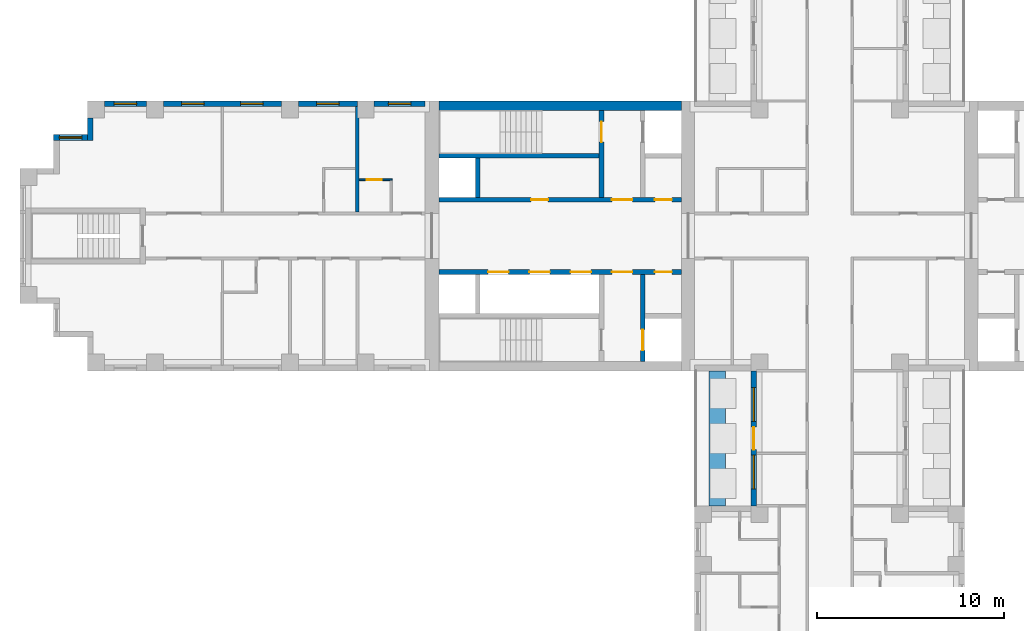
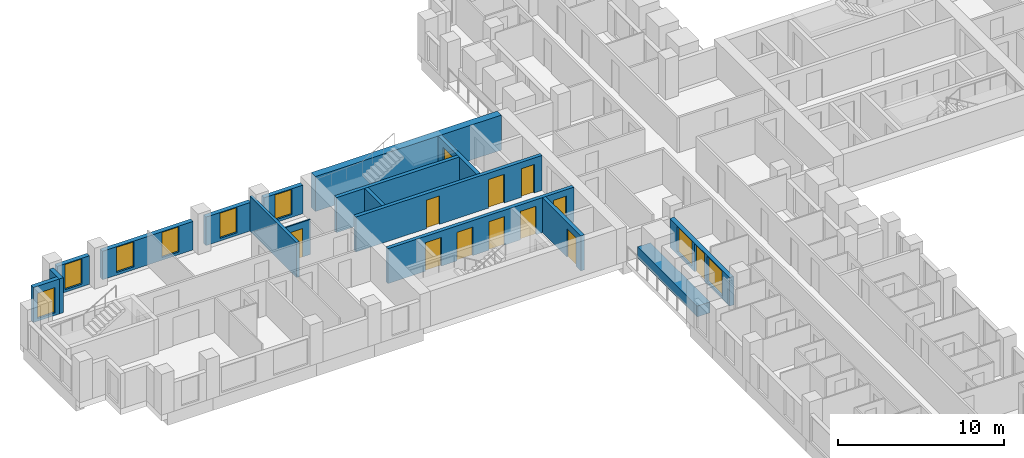
# One storey, part 7 of 14: 17 walls, 12 doors, 8 windows, 20 openings.
"""IFC4 building model written with IfcOpenShell, lengths in metres."""

from ifc_helpers import new_model, si_unit, direction, frame, frame_2d, origin, place, context, subcontext, project, spatial, rectangle, extrude, material, layer, layer_set, type_object, element, fill, save


model = new_model("IFC4")

# Units and contexts
model_context = context("Model", 3, precision=1e-05, world=origin(), true_north=direction((0.0, 1.0)))
body_context = subcontext(model_context, "Body", "Model", "MODEL_VIEW")
ifc_project = project(units=[si_unit("LENGTHUNIT", "METRE"), si_unit("AREAUNIT", "SQUARE_METRE"), si_unit("VOLUMEUNIT", "CUBIC_METRE"), si_unit("PLANEANGLEUNIT", "RADIAN"), si_unit("MASSUNIT", "GRAM", prefix="KILO")], contexts=[model_context])

# Site, building, storey
site_placement = place(None, origin())
site = spatial("IfcSite", under=ifc_project, at=site_placement, CompositionType="ELEMENT")
building_placement = place(site_placement, origin())
building = spatial("IfcBuilding", under=site, at=building_placement, Name="Fustian Cross Tower", CompositionType="ELEMENT")
storey_placement = place(building_placement, frame((0.0, 0.0, 72.89990234375)))
storey = spatial("IfcBuildingStorey", under=building, at=storey_placement, Name="L22", CompositionType="ELEMENT", Elevation=72.89990234375)

# Wall
ifc_material_1 = material(Name="Concrete C70/85", Category="concrete")
ifc_layer_1 = layer(ifc_material_1, 0.5)
ifc_layer_set_1 = layer_set([ifc_layer_1], Name="Concrete C70/85")
wall_type_1 = type_object("IfcWallType", Name="CORE FACADE WALL 500 C70/85", PredefinedType="SHEAR", material=ifc_layer_set_1)
wall_1_placement = place(storey_placement, frame((-7.89990234375, 6.949951171875, 0.0), z_axis=(0.0, 0.0, 1.0), x_axis=(-1.0, 0.0, 0.0)))
element("IfcWall", 1, at=wall_1_placement, inside=storey, type_object=wall_type_1, Name="Core facade wall", PredefinedType="SHEAR", context=body_context, shape_type="SweptSolid", body=[
    extrude(rectangle(XDim=12.9501953125, YDim=0.5, at=frame_2d((6.47509765625, 0.0))), origin(), (0.0, 0.0, 1.0), 2.5751953125),
])

# Wall, openings, doors
ifc_material_2 = material(Name="Concrete C50/60", Category="concrete")
ifc_layer_2 = layer(ifc_material_2, 0.25)
ifc_layer_set_2 = layer_set([ifc_layer_2], Name="Concrete C50/60")
wall_type_2 = type_object("IfcWallType", Name="CORE LOBBY WALL 250 C50/60", PredefinedType="SHEAR", material=ifc_layer_set_2)
wall_2_placement = place(storey_placement, frame((-7.89990234375, 1.925048828125, 0.0), z_axis=(0.0, 0.0, 1.0), x_axis=(-1.0, 0.0, 0.0)))
wall_2 = element("IfcWall", 2, at=wall_2_placement, inside=storey, type_object=wall_type_2, Name="Core lobby wall", PredefinedType="SHEAR", context=body_context, shape_type="SweptSolid", body=[
    extrude(rectangle(XDim=12.9501953125, YDim=0.25, at=frame_2d((6.47509765625, 0.0))), origin(), (0.0, 0.0, 1.0), 2.5751953125),
])
opening_1_placement = place(wall_2_placement, frame((0.52490234375, 0.0, 0.0)))
opening_1 = element("IfcOpeningElement", 3, at=opening_1_placement, cuts=wall_2, Name="Opening CD-09-22", PredefinedType="OPENING", context=body_context, shape_type="SweptSolid", body=[
    extrude(rectangle(XDim=0.89990234375, YDim=2.10009765625, at=frame_2d((0.449951171875, 1.050048828125))), frame((0.0, 0.135009765625, 0.0), z_axis=(0.0, -1.0, 0.0), x_axis=(1.0, 0.0, 0.0)), (0.0, 0.0, 1.0), 0.27001953125),
])
opening_2_placement = place(wall_2_placement, frame((2.625, 0.0, 0.0)))
opening_2 = element("IfcOpeningElement", 4, at=opening_2_placement, cuts=wall_2, Name="Opening CD-09-24", PredefinedType="OPENING", context=body_context, shape_type="SweptSolid", body=[
    extrude(rectangle(XDim=1.10009765625, YDim=2.10009765625, at=frame_2d((0.550048828125, 1.050048828125))), frame((0.0, 0.135009765625, 0.0), z_axis=(0.0, -1.0, 0.0), x_axis=(1.0, 0.0, 0.0)), (0.0, 0.0, 1.0), 0.27001953125),
])
opening_3_placement = place(wall_2_placement, frame((7.125, 0.0, 0.0)))
opening_3 = element("IfcOpeningElement", 5, at=opening_3_placement, cuts=wall_2, Name="Opening CD-09-28", PredefinedType="OPENING", context=body_context, shape_type="SweptSolid", body=[
    extrude(rectangle(XDim=0.89990234375, YDim=2.10009765625, at=frame_2d((0.449951171875, 1.050048828125))), frame((0.0, 0.135009765625, 0.0), z_axis=(0.0, -1.0, 0.0), x_axis=(1.0, 0.0, 0.0)), (0.0, 0.0, 1.0), 0.27001953125),
])
ifc_material_3 = material(Name="Steel", Category="steel")
door_type_1 = type_object("IfcDoorType", Name="FIRE DOOR FD30S 900X2100", OperationType="SINGLE_SWING_LEFT", PredefinedType="DOOR", material=ifc_material_3)
door_1_placement = place(opening_3_placement, frame((0.89990234375, 0.0, 0.0), z_axis=(0.0, 0.0, 1.0), x_axis=(-1.0, 0.0, 0.0)))
door_1 = element("IfcDoor", 6, at=door_1_placement, inside=storey, type_object=door_type_1, Name="Core door CD-09-28", OperationType="SINGLE_SWING_RIGHT", OverallHeight=2.10009765625, OverallWidth=0.89990234375, PredefinedType="DOOR", context=body_context, shape_type="SweptSolid", body=[
    extrude(rectangle(XDim=0.89990234375, YDim=2.10009765625, at=frame_2d((0.449951171875, 1.050048828125))), frame((0.0, 0.02490234375, 0.0), z_axis=(0.0, -1.0, 0.0), x_axis=(1.0, 0.0, 0.0)), (0.0, 0.0, 1.0), 0.050048828125),
])
fill(opening_3, door_1)
ifc_material_4 = material(Name="Steel", Category="steel")
door_type_2 = type_object("IfcDoorType", Name="FIRE DOOR FD60S 1100X2100", OperationType="SINGLE_SWING_LEFT", PredefinedType="DOOR", material=ifc_material_4)
door_2_placement = place(opening_2_placement, frame((1.10009765625, 0.0, 0.0), z_axis=(0.0, 0.0, 1.0), x_axis=(-1.0, 0.0, 0.0)))
door_2 = element("IfcDoor", 7, at=door_2_placement, inside=storey, type_object=door_type_2, Name="Core door CD-09-24", OperationType="SINGLE_SWING_RIGHT", OverallHeight=2.10009765625, OverallWidth=1.10009765625, PredefinedType="DOOR", context=body_context, shape_type="SweptSolid", body=[
    extrude(rectangle(XDim=1.10009765625, YDim=2.10009765625, at=frame_2d((0.550048828125, 1.050048828125))), frame((0.0, 0.02490234375, 0.0), z_axis=(0.0, -1.0, 0.0), x_axis=(1.0, 0.0, 0.0)), (0.0, 0.0, 1.0), 0.050048828125),
])
fill(opening_2, door_2)
ifc_material_5 = material(Name="Steel", Category="steel")
door_type_3 = type_object("IfcDoorType", Name="FIRE DOOR FD60S 900X2100", OperationType="SINGLE_SWING_LEFT", PredefinedType="DOOR", material=ifc_material_5)
door_3_placement = place(opening_1_placement, frame((0.89990234375, 0.0, 0.0), z_axis=(0.0, 0.0, 1.0), x_axis=(-1.0, 0.0, 0.0)))
door_3 = element("IfcDoor", 8, at=door_3_placement, inside=storey, type_object=door_type_3, Name="Core door CD-09-22", OperationType="SINGLE_SWING_RIGHT", OverallHeight=2.10009765625, OverallWidth=0.89990234375, PredefinedType="DOOR", context=body_context, shape_type="SweptSolid", body=[
    extrude(rectangle(XDim=0.89990234375, YDim=2.10009765625, at=frame_2d((0.449951171875, 1.050048828125))), frame((0.0, 0.02490234375, 0.0), z_axis=(0.0, -1.0, 0.0), x_axis=(1.0, 0.0, 0.0)), (0.0, 0.0, 1.0), 0.050048828125),
])
fill(opening_1, door_3)

wall_3_placement = place(storey_placement, frame((-7.89990234375, -1.925048828125, 0.0), z_axis=(0.0, 0.0, 1.0), x_axis=(-1.0, 0.0, 0.0)))
wall_3 = element("IfcWall", 9, at=wall_3_placement, inside=storey, type_object=wall_type_2, Name="Core lobby wall", PredefinedType="SHEAR", context=body_context, shape_type="SweptSolid", body=[
    extrude(rectangle(XDim=12.9501953125, YDim=0.25, at=frame_2d((6.47509765625, 0.0))), origin(), (0.0, 0.0, 1.0), 2.5751953125),
])
opening_4_placement = place(wall_3_placement, frame((4.824951171875, 0.0, 0.0)))
opening_4 = element("IfcOpeningElement", 10, at=opening_4_placement, cuts=wall_3, Name="Opening LD", PredefinedType="OPENING", context=body_context, shape_type="SweptSolid", body=[
    extrude(rectangle(XDim=1.10009765625, YDim=2.10009765625, at=frame_2d((0.550048828125, 1.050048828125))), frame((0.0, 0.135009765625, 0.0), z_axis=(0.0, -1.0, 0.0), x_axis=(1.0, 0.0, 0.0)), (0.0, 0.0, 1.0), 0.27001953125),
])
opening_5_placement = place(wall_3_placement, frame((7.02490234375, 0.0, 0.0)))
opening_5 = element("IfcOpeningElement", 11, at=opening_5_placement, cuts=wall_3, Name="Opening LD", PredefinedType="OPENING", context=body_context, shape_type="SweptSolid", body=[
    extrude(rectangle(XDim=1.10009765625, YDim=2.10009765625, at=frame_2d((0.550048828125, 1.050048828125))), frame((0.0, 0.135009765625, 0.0), z_axis=(0.0, -1.0, 0.0), x_axis=(1.0, 0.0, 0.0)), (0.0, 0.0, 1.0), 0.27001953125),
])
opening_6_placement = place(wall_3_placement, frame((9.22509765625, 0.0, 0.0)))
opening_6 = element("IfcOpeningElement", 12, at=opening_6_placement, cuts=wall_3, Name="Opening LD", PredefinedType="OPENING", context=body_context, shape_type="SweptSolid", body=[
    extrude(rectangle(XDim=1.10009765625, YDim=2.10009765625, at=frame_2d((0.550048828125, 1.050048828125))), frame((0.0, 0.135009765625, 0.0), z_axis=(0.0, -1.0, 0.0), x_axis=(1.0, 0.0, 0.0)), (0.0, 0.0, 1.0), 0.27001953125),
])
opening_7_placement = place(wall_3_placement, frame((0.52490234375, 0.0, 0.0)))
opening_7 = element("IfcOpeningElement", 13, at=opening_7_placement, cuts=wall_3, Name="Opening CD-09-23", PredefinedType="OPENING", context=body_context, shape_type="SweptSolid", body=[
    extrude(rectangle(XDim=0.89990234375, YDim=2.10009765625, at=frame_2d((0.449951171875, 1.050048828125))), frame((0.0, 0.135009765625, 0.0), z_axis=(0.0, -1.0, 0.0), x_axis=(1.0, 0.0, 0.0)), (0.0, 0.0, 1.0), 0.27001953125),
])
opening_8_placement = place(wall_3_placement, frame((2.625, 0.0, 0.0)))
opening_8 = element("IfcOpeningElement", 14, at=opening_8_placement, cuts=wall_3, Name="Opening CD-09-25", PredefinedType="OPENING", context=body_context, shape_type="SweptSolid", body=[
    extrude(rectangle(XDim=1.10009765625, YDim=2.10009765625, at=frame_2d((0.550048828125, 1.050048828125))), frame((0.0, 0.135009765625, 0.0), z_axis=(0.0, -1.0, 0.0), x_axis=(1.0, 0.0, 0.0)), (0.0, 0.0, 1.0), 0.27001953125),
])
ifc_material_6 = material(Name="Steel", Category="steel")
door_type_4 = type_object("IfcDoorType", Name="FIRE DOOR FD30S 1100X2100", OperationType="SINGLE_SWING_LEFT", PredefinedType="DOOR", material=ifc_material_6)
door_4_placement = place(opening_8_placement, frame((1.10009765625, 0.0, 0.0), z_axis=(0.0, 0.0, 1.0), x_axis=(-1.0, 0.0, 0.0)))
door_4 = element("IfcDoor", 15, at=door_4_placement, inside=storey, type_object=door_type_4, Name="Core door CD-09-25", OperationType="SINGLE_SWING_RIGHT", OverallHeight=2.10009765625, OverallWidth=1.10009765625, PredefinedType="DOOR", context=body_context, shape_type="SweptSolid", body=[
    extrude(rectangle(XDim=1.10009765625, YDim=2.10009765625, at=frame_2d((0.550048828125, 1.050048828125))), frame((0.0, 0.02490234375, 0.0), z_axis=(0.0, -1.0, 0.0), x_axis=(1.0, 0.0, 0.0)), (0.0, 0.0, 1.0), 0.050048828125),
])
fill(opening_8, door_4)
door_5_placement = place(opening_7_placement, origin())
door_5 = element("IfcDoor", 16, at=door_5_placement, inside=storey, type_object=door_type_1, Name="Core door CD-09-23", OperationType="SINGLE_SWING_LEFT", OverallHeight=2.10009765625, OverallWidth=0.89990234375, PredefinedType="DOOR", context=body_context, shape_type="SweptSolid", body=[
    extrude(rectangle(XDim=0.89990234375, YDim=2.10009765625, at=frame_2d((0.449951171875, 1.050048828125))), frame((0.0, 0.02490234375, 0.0), z_axis=(0.0, -1.0, 0.0), x_axis=(1.0, 0.0, 0.0)), (0.0, 0.0, 1.0), 0.050048828125),
])
fill(opening_7, door_5)
ifc_material_7 = material(Name="Stainless steel", Category="steel")
door_type_5 = type_object("IfcDoorType", Name="LIFT LANDING DOOR 1100X2100", OperationType="SLIDING_TO_LEFT", PredefinedType="DOOR", material=ifc_material_7)
door_6_placement = place(opening_4_placement, origin())
door_6 = element("IfcDoor", 17, at=door_6_placement, inside=storey, type_object=door_type_5, Name="Landing door LR1W", OperationType="SLIDING_TO_LEFT", OverallHeight=2.10009765625, OverallWidth=1.10009765625, PredefinedType="DOOR", context=body_context, shape_type="SweptSolid", body=[
    extrude(rectangle(XDim=1.10009765625, YDim=2.10009765625, at=frame_2d((0.550048828125, 1.050048828125))), frame((0.0, 0.02490234375, 0.0), z_axis=(0.0, -1.0, 0.0), x_axis=(1.0, 0.0, 0.0)), (0.0, 0.0, 1.0), 0.050048828125),
])
fill(opening_4, door_6)
door_7_placement = place(opening_5_placement, origin())
door_7 = element("IfcDoor", 18, at=door_7_placement, inside=storey, type_object=door_type_5, Name="Landing door LR2W", OperationType="SLIDING_TO_LEFT", OverallHeight=2.10009765625, OverallWidth=1.10009765625, PredefinedType="DOOR", context=body_context, shape_type="SweptSolid", body=[
    extrude(rectangle(XDim=1.10009765625, YDim=2.10009765625, at=frame_2d((0.550048828125, 1.050048828125))), frame((0.0, 0.02490234375, 0.0), z_axis=(0.0, -1.0, 0.0), x_axis=(1.0, 0.0, 0.0)), (0.0, 0.0, 1.0), 0.050048828125),
])
fill(opening_5, door_7)
door_8_placement = place(opening_6_placement, origin())
door_8 = element("IfcDoor", 19, at=door_8_placement, inside=storey, type_object=door_type_5, Name="Landing door LR3W", OperationType="SLIDING_TO_LEFT", OverallHeight=2.10009765625, OverallWidth=1.10009765625, PredefinedType="DOOR", context=body_context, shape_type="SweptSolid", body=[
    extrude(rectangle(XDim=1.10009765625, YDim=2.10009765625, at=frame_2d((0.550048828125, 1.050048828125))), frame((0.0, 0.02490234375, 0.0), z_axis=(0.0, -1.0, 0.0), x_axis=(1.0, 0.0, 0.0)), (0.0, 0.0, 1.0), 0.050048828125),
])
fill(opening_6, door_8)

# Wall
ifc_material_8 = material(Name="Concrete C50/60", Category="concrete")
ifc_layer_3 = layer(ifc_material_8, 0.25)
ifc_layer_set_3 = layer_set([ifc_layer_3], Name="Concrete C50/60")
wall_type_3 = type_object("IfcWallType", Name="CORE SHAFT WALL 250 C50/60", PredefinedType="SHEAR", material=ifc_layer_set_3)
wall_4_placement = place(storey_placement, frame((-12.300048828125, 4.27490234375, 0.0), z_axis=(0.0, 0.0, 1.0), x_axis=(-1.0, 0.0, 0.0)))
element("IfcWall", 20, at=wall_4_placement, inside=storey, type_object=wall_type_3, Name="Core shaft wall", PredefinedType="SHEAR", context=body_context, shape_type="SweptSolid", body=[
    extrude(rectangle(XDim=8.550048828125, YDim=0.25, at=frame_2d((4.27490234375, 0.0))), origin(), (0.0, 0.0, 1.0), 2.5751953125),
])

# Wall, opening, door
wall_5_placement = place(storey_placement, frame((-12.175048828125, 2.050048828125, 0.0), z_axis=(0.0, 0.0, 1.0), x_axis=(0.0, 1.0, 0.0)))
wall_5 = element("IfcWall", 21, at=wall_5_placement, inside=storey, type_object=wall_type_3, Name="Core shaft wall", PredefinedType="SHEAR", context=body_context, shape_type="SweptSolid", body=[
    extrude(rectangle(XDim=4.64990234375, YDim=0.25, at=frame_2d((2.324951171875, 0.0))), origin(), (0.0, 0.0, 1.0), 2.5751953125),
])
opening_9_placement = place(wall_5_placement, frame((2.949951171875, 0.0, 0.0)))
opening_9 = element("IfcOpeningElement", 22, at=opening_9_placement, cuts=wall_5, Name="Opening CD-09-20", PredefinedType="OPENING", context=body_context, shape_type="SweptSolid", body=[
    extrude(rectangle(XDim=1.10009765625, YDim=2.10009765625, at=frame_2d((0.550048828125, 1.050048828125))), frame((0.0, 0.135009765625, 0.0), z_axis=(0.0, -1.0, 0.0), x_axis=(1.0, 0.0, 0.0)), (0.0, 0.0, 1.0), 0.27001953125),
])
door_9_placement = place(opening_9_placement, origin())
door_9 = element("IfcDoor", 23, at=door_9_placement, inside=storey, type_object=door_type_2, Name="Core door CD-09-20", OperationType="SINGLE_SWING_LEFT", OverallHeight=2.10009765625, OverallWidth=1.10009765625, PredefinedType="DOOR", context=body_context, shape_type="SweptSolid", body=[
    extrude(rectangle(XDim=1.10009765625, YDim=2.10009765625, at=frame_2d((0.550048828125, 1.050048828125))), frame((0.0, 0.02490234375, 0.0), z_axis=(0.0, -1.0, 0.0), x_axis=(1.0, 0.0, 0.0)), (0.0, 0.0, 1.0), 0.050048828125),
])
fill(opening_9, door_9)

wall_6_placement = place(storey_placement, frame((-9.97509765625, -2.050048828125, 0.0), z_axis=(0.0, 0.0, 1.0), x_axis=(0.0, -1.0, 0.0)))
wall_6 = element("IfcWall", 24, at=wall_6_placement, inside=storey, type_object=wall_type_3, Name="Core shaft wall", PredefinedType="SHEAR", context=body_context, shape_type="SweptSolid", body=[
    extrude(rectangle(XDim=4.64990234375, YDim=0.25, at=frame_2d((2.324951171875, 0.0))), origin(), (0.0, 0.0, 1.0), 2.5751953125),
])
opening_10_placement = place(wall_6_placement, frame((2.949951171875, 0.0, 0.0)))
opening_10 = element("IfcOpeningElement", 25, at=opening_10_placement, cuts=wall_6, Name="Opening LD", PredefinedType="OPENING", context=body_context, shape_type="SweptSolid", body=[
    extrude(rectangle(XDim=1.10009765625, YDim=2.10009765625, at=frame_2d((0.550048828125, 1.050048828125))), frame((0.0, 0.135009765625, 0.0), z_axis=(0.0, -1.0, 0.0), x_axis=(1.0, 0.0, 0.0)), (0.0, 0.0, 1.0), 0.27001953125),
])
door_10_placement = place(opening_10_placement, origin())
door_10 = element("IfcDoor", 26, at=door_10_placement, inside=storey, type_object=door_type_5, Name="Landing door SV1W", OperationType="SLIDING_TO_LEFT", OverallHeight=2.10009765625, OverallWidth=1.10009765625, PredefinedType="DOOR", context=body_context, shape_type="SweptSolid", body=[
    extrude(rectangle(XDim=1.10009765625, YDim=2.10009765625, at=frame_2d((0.550048828125, 1.050048828125))), frame((0.0, 0.02490234375, 0.0), z_axis=(0.0, -1.0, 0.0), x_axis=(1.0, 0.0, 0.0)), (0.0, 0.0, 1.0), 0.050048828125),
])
fill(opening_10, door_10)

ifc_material_9 = material(Name="Plasterboard on steel stud", Category="steel")
ifc_layer_4 = layer(ifc_material_9, 0.10009765625)
ifc_layer_set_4 = layer_set([ifc_layer_4], Name="Plasterboard on steel stud")
wall_type_4 = type_object("IfcWallType", Name="PARTITION 100 STUD", PredefinedType="PARTITIONING", material=ifc_layer_set_4)
wall_7_placement = place(storey_placement, frame((-25.10009765625, 3.0, 0.0), z_axis=(0.0, 0.0, 1.0), x_axis=(1.0, 0.0, 0.0)))
wall_7 = element("IfcWall", 27, at=wall_7_placement, inside=storey, type_object=wall_type_4, Name="Partition 14", PredefinedType="PARTITIONING", context=body_context, shape_type="SweptSolid", body=[
    extrude(rectangle(XDim=1.75, YDim=0.10009765625, at=frame_2d((0.875, 0.0))), origin(), (0.0, 0.0, 1.0), 2.5751953125),
])
opening_11_placement = place(wall_7_placement, frame((0.39990234375, 0.0, 0.0)))
opening_11 = element("IfcOpeningElement", 28, at=opening_11_placement, cuts=wall_7, Name="Opening D11031", PredefinedType="OPENING", context=body_context, shape_type="SweptSolid", body=[
    extrude(rectangle(XDim=0.800048828125, YDim=2.10009765625, at=frame_2d((0.39990234375, 1.050048828125))), frame((0.0, 0.06005859375, 0.0), z_axis=(0.0, -1.0, 0.0), x_axis=(1.0, 0.0, 0.0)), (0.0, 0.0, 1.0), 0.1201171875),
])
ifc_material_10 = material(Name="Painted timber", Category="wood")
door_type_6 = type_object("IfcDoorType", Name="SWING DOOR 800", OperationType="SINGLE_SWING_LEFT", PredefinedType="DOOR", material=ifc_material_10)
door_11_placement = place(opening_11_placement, frame((0.800048828125, 0.0, 0.0), z_axis=(0.0, 0.0, 1.0), x_axis=(-1.0, 0.0, 0.0)))
door_11 = element("IfcDoor", 29, at=door_11_placement, inside=storey, type_object=door_type_6, Name="Door D11031", OperationType="SINGLE_SWING_LEFT", OverallHeight=2.10009765625, OverallWidth=0.800048828125, PredefinedType="DOOR", context=body_context, shape_type="SweptSolid", body=[
    extrude(rectangle(XDim=0.800048828125, YDim=2.10009765625, at=frame_2d((0.39990234375, 1.050048828125))), frame((0.0, 0.02490234375, 0.0), z_axis=(0.0, -1.0, 0.0), x_axis=(1.0, 0.0, 0.0)), (0.0, 0.0, 1.0), 0.050048828125),
])
fill(opening_11, door_11)

# Walls
ifc_material_11 = material(Name="Plasterboard on steel stud", Category="steel")
ifc_layer_5 = layer(ifc_material_11, 0.199951171875)
ifc_layer_set_5 = layer_set([ifc_layer_5], Name="Plasterboard on steel stud")
wall_type_5 = type_object("IfcWallType", Name="PARTY WALL 200 EI 60", PredefinedType="PARTITIONING", material=ifc_layer_set_5)
wall_8_placement = place(storey_placement, frame((-25.199951171875, 1.27490234375, 0.0), z_axis=(0.0, 0.0, 1.0), x_axis=(0.0, 1.0, 0.0)))
element("IfcWall", 30, at=wall_8_placement, inside=storey, type_object=wall_type_5, Name="Partition 13", PredefinedType="PARTITIONING", context=body_context, shape_type="SweptSolid", body=[
    extrude(rectangle(XDim=5.625, YDim=0.199951171875, at=frame_2d((2.8125, 0.0))), origin(), (0.0, 0.0, 1.0), 2.5751953125),
])
ifc_material_12 = material(Name="Concrete C40/50", Category="concrete")
ifc_layer_6 = layer(ifc_material_12, 0.89990234375)
ifc_layer_set_6 = layer_set([ifc_layer_6], Name="Concrete C40/50")
wall_type_6 = type_object("IfcWallType", Name="PK1 PLANTER 900", PredefinedType="PARAPET", material=ifc_layer_set_6)
wall_9_placement = place(storey_placement, frame((-6.0, -14.39990234375, 0.0), z_axis=(0.0, 0.0, 1.0), x_axis=(0.0, 1.0, 0.0)))
element("IfcWall", 31, at=wall_9_placement, inside=storey, type_object=wall_type_6, Name="PLANTER", PredefinedType="PARAPET", context=body_context, shape_type="SweptSolid", body=[
    extrude(rectangle(XDim=7.199951171875, YDim=0.89990234375, at=frame_2d((3.60009765625, 0.0))), origin(), (0.0, 0.0, 1.0), 0.800048828125),
])
ifc_material_13 = material(Name="Concrete C40/50", Category="concrete")
ifc_layer_7 = layer(ifc_material_13, 0.25)
ifc_layer_set_7 = layer_set([ifc_layer_7], Name="Concrete C40/50")
wall_type_7 = type_object("IfcWallType", Name="SHAFT PARTITION WALL 250 C40/50", PredefinedType="PARTITIONING", material=ifc_layer_set_7)
wall_10_placement = place(storey_placement, frame((-18.77490234375, 2.050048828125, 0.0), z_axis=(0.0, 0.0, 1.0), x_axis=(0.0, 1.0, 0.0)))
element("IfcWall", 32, at=wall_10_placement, inside=storey, type_object=wall_type_7, Name="Core shaft wall", PredefinedType="PARTITIONING", context=body_context, shape_type="SweptSolid", body=[
    extrude(rectangle(XDim=2.099853515625, YDim=0.25, at=frame_2d((1.0498046875, 0.0))), origin(), (0.0, 0.0, 1.0), 2.5751953125),
])

# Wall, opening, window
ifc_material_14 = material(Name="Dark aluminium cladding on insulated backing wall", Category="aluminium")
ifc_layer_8 = layer(ifc_material_14, 0.300048828125)
ifc_layer_set_8 = layer_set([ifc_layer_8], Name="Dark aluminium cladding on insulated backing wall")
wall_type_8 = type_object("IfcWallType", Name="XW1 EXTERNAL WALL 300", PredefinedType="SOLIDWALL", material=ifc_layer_set_8)
wall_11_placement = place(storey_placement, frame((-21.60009765625, 7.050048828125, 0.0), z_axis=(0.0, 0.0, 1.0), x_axis=(-1.0, 0.0, 0.0)))
wall_11 = element("IfcWall", 33, at=wall_11_placement, inside=storey, type_object=wall_type_8, Name="External wall", PredefinedType="SOLIDWALL", context=body_context, shape_type="SweptSolid", body=[
    extrude(rectangle(XDim=2.699951171875, YDim=0.300048828125, at=frame_2d((1.35009765625, 0.0))), origin(), (0.0, 0.0, 1.0), 2.10009765625),
])
opening_12_placement = place(wall_11_placement, frame((0.75, 0.0, 0.199951171875)))
opening_12 = element("IfcOpeningElement", 34, at=opening_12_placement, cuts=wall_11, Name="Opening WN3", PredefinedType="OPENING", context=body_context, shape_type="SweptSolid", body=[
    extrude(rectangle(XDim=1.199951171875, YDim=1.85009765625, at=frame_2d((0.60009765625, 0.925048828125))), frame((0.0, 0.159912109375, 0.0), z_axis=(0.0, -1.0, 0.0), x_axis=(1.0, 0.0, 0.0)), (0.0, 0.0, 1.0), 0.320068359375),
])
ifc_material_15 = material(Name="Dark anodised aluminium and double glazing", Category="aluminium")
window_type_1 = type_object("IfcWindowType", Name="WN3 WINDOW 1200X1850", PartitioningType="SINGLE_PANEL", PredefinedType="WINDOW", material=ifc_material_15)
window_1_placement = place(opening_12_placement, origin())
window_1 = element("IfcWindow", 35, at=window_1_placement, inside=storey, type_object=window_type_1, Name="Window", OverallHeight=1.85009765625, OverallWidth=1.199951171875, PartitioningType="SINGLE_PANEL", PredefinedType="WINDOW", context=body_context, shape_type="SweptSolid", body=[
    extrude(rectangle(XDim=1.199951171875, YDim=1.85009765625, at=frame_2d((0.60009765625, 0.925048828125))), frame((0.0, 0.030029296875, 0.0), z_axis=(0.0, -1.0, 0.0), x_axis=(1.0, 0.0, 0.0)), (0.0, 0.0, 1.0), 0.06005859375),
])
fill(opening_12, window_1)

wall_12_placement = place(storey_placement, frame((-25.199951171875, 7.050048828125, 0.0), z_axis=(0.0, 0.0, 1.0), x_axis=(-1.0, 0.0, 0.0)))
wall_12 = element("IfcWall", 36, at=wall_12_placement, inside=storey, type_object=wall_type_8, Name="External wall", PredefinedType="SOLIDWALL", context=body_context, shape_type="SweptSolid", body=[
    extrude(rectangle(XDim=3.150146484375, YDim=0.300048828125, at=frame_2d((1.5751953125, 0.0))), origin(), (0.0, 0.0, 1.0), 2.10009765625),
])
opening_13_placement = place(wall_12_placement, frame((0.97509765625, 0.0, 0.199951171875)))
opening_13 = element("IfcOpeningElement", 37, at=opening_13_placement, cuts=wall_12, Name="Opening WN3", PredefinedType="OPENING", context=body_context, shape_type="SweptSolid", body=[
    extrude(rectangle(XDim=1.199951171875, YDim=1.85009765625, at=frame_2d((0.60009765625, 0.925048828125))), frame((0.0, 0.159912109375, 0.0), z_axis=(0.0, -1.0, 0.0), x_axis=(1.0, 0.0, 0.0)), (0.0, 0.0, 1.0), 0.320068359375),
])
window_2_placement = place(opening_13_placement, origin())
window_2 = element("IfcWindow", 38, at=window_2_placement, inside=storey, type_object=window_type_1, Name="Window", OverallHeight=1.85009765625, OverallWidth=1.199951171875, PartitioningType="SINGLE_PANEL", PredefinedType="WINDOW", context=body_context, shape_type="SweptSolid", body=[
    extrude(rectangle(XDim=1.199951171875, YDim=1.85009765625, at=frame_2d((0.60009765625, 0.925048828125))), frame((0.0, 0.030029296875, 0.0), z_axis=(0.0, -1.0, 0.0), x_axis=(1.0, 0.0, 0.0)), (0.0, 0.0, 1.0), 0.06005859375),
])
fill(opening_13, window_2)

# Wall, openings, windows
wall_13_placement = place(storey_placement, frame((-29.25, 7.050048828125, 0.0), z_axis=(0.0, 0.0, 1.0), x_axis=(-1.0, 0.0, 0.0)))
wall_13 = element("IfcWall", 39, at=wall_13_placement, inside=storey, type_object=wall_type_8, Name="External wall", PredefinedType="SOLIDWALL", context=body_context, shape_type="SweptSolid", body=[
    extrude(rectangle(XDim=6.300048828125, YDim=0.300048828125, at=frame_2d((3.14990234375, 0.0))), origin(), (0.0, 0.0, 1.0), 2.10009765625),
])
opening_14_placement = place(wall_13_placement, frame((0.97509765625, 0.0, 0.199951171875)))
opening_14 = element("IfcOpeningElement", 40, at=opening_14_placement, cuts=wall_13, Name="Opening WN3", PredefinedType="OPENING", context=body_context, shape_type="SweptSolid", body=[
    extrude(rectangle(XDim=1.199951171875, YDim=1.85009765625, at=frame_2d((0.60009765625, 0.925048828125))), frame((0.0, 0.159912109375, 0.0), z_axis=(0.0, -1.0, 0.0), x_axis=(1.0, 0.0, 0.0)), (0.0, 0.0, 1.0), 0.320068359375),
])
opening_15_placement = place(wall_13_placement, frame((4.125, 0.0, 0.199951171875)))
opening_15 = element("IfcOpeningElement", 41, at=opening_15_placement, cuts=wall_13, Name="Opening WN3", PredefinedType="OPENING", context=body_context, shape_type="SweptSolid", body=[
    extrude(rectangle(XDim=1.199951171875, YDim=1.85009765625, at=frame_2d((0.60009765625, 0.925048828125))), frame((0.0, 0.159912109375, 0.0), z_axis=(0.0, -1.0, 0.0), x_axis=(1.0, 0.0, 0.0)), (0.0, 0.0, 1.0), 0.320068359375),
])
window_3_placement = place(opening_14_placement, origin())
window_3 = element("IfcWindow", 42, at=window_3_placement, inside=storey, type_object=window_type_1, Name="Window", OverallHeight=1.85009765625, OverallWidth=1.199951171875, PartitioningType="SINGLE_PANEL", PredefinedType="WINDOW", context=body_context, shape_type="SweptSolid", body=[
    extrude(rectangle(XDim=1.199951171875, YDim=1.85009765625, at=frame_2d((0.60009765625, 0.925048828125))), frame((0.0, 0.030029296875, 0.0), z_axis=(0.0, -1.0, 0.0), x_axis=(1.0, 0.0, 0.0)), (0.0, 0.0, 1.0), 0.06005859375),
])
fill(opening_14, window_3)
window_4_placement = place(opening_15_placement, origin())
window_4 = element("IfcWindow", 43, at=window_4_placement, inside=storey, type_object=window_type_1, Name="Window", OverallHeight=1.85009765625, OverallWidth=1.199951171875, PartitioningType="SINGLE_PANEL", PredefinedType="WINDOW", context=body_context, shape_type="SweptSolid", body=[
    extrude(rectangle(XDim=1.199951171875, YDim=1.85009765625, at=frame_2d((0.60009765625, 0.925048828125))), frame((0.0, 0.030029296875, 0.0), z_axis=(0.0, -1.0, 0.0), x_axis=(1.0, 0.0, 0.0)), (0.0, 0.0, 1.0), 0.06005859375),
])
fill(opening_15, window_4)

# Wall, opening, window
wall_14_placement = place(storey_placement, frame((-36.449951171875, 7.050048828125, 0.0), z_axis=(0.0, 0.0, 1.0), x_axis=(-1.0, 0.0, 0.0)))
wall_14 = element("IfcWall", 44, at=wall_14_placement, inside=storey, type_object=wall_type_8, Name="External wall", PredefinedType="SOLIDWALL", context=body_context, shape_type="SweptSolid", body=[
    extrude(rectangle(XDim=2.25, YDim=0.300048828125, at=frame_2d((1.125, 0.0))), origin(), (0.0, 0.0, 1.0), 2.10009765625),
])
opening_16_placement = place(wall_14_placement, frame((0.52490234375, 0.0, 0.199951171875)))
opening_16 = element("IfcOpeningElement", 45, at=opening_16_placement, cuts=wall_14, Name="Opening WN3", PredefinedType="OPENING", context=body_context, shape_type="SweptSolid", body=[
    extrude(rectangle(XDim=1.199951171875, YDim=1.85009765625, at=frame_2d((0.60009765625, 0.925048828125))), frame((0.0, 0.159912109375, 0.0), z_axis=(0.0, -1.0, 0.0), x_axis=(1.0, 0.0, 0.0)), (0.0, 0.0, 1.0), 0.320068359375),
])
window_5_placement = place(opening_16_placement, origin())
window_5 = element("IfcWindow", 46, at=window_5_placement, inside=storey, type_object=window_type_1, Name="Window", OverallHeight=1.85009765625, OverallWidth=1.199951171875, PartitioningType="SINGLE_PANEL", PredefinedType="WINDOW", context=body_context, shape_type="SweptSolid", body=[
    extrude(rectangle(XDim=1.199951171875, YDim=1.85009765625, at=frame_2d((0.60009765625, 0.925048828125))), frame((0.0, 0.030029296875, 0.0), z_axis=(0.0, -1.0, 0.0), x_axis=(1.0, 0.0, 0.0)), (0.0, 0.0, 1.0), 0.06005859375),
])
fill(opening_16, window_5)

# Wall
wall_15_placement = place(storey_placement, frame((-39.449951171875, 6.300048828125, 0.0), z_axis=(0.0, 0.0, 1.0), x_axis=(0.0, -1.0, 0.0)))
element("IfcWall", 47, at=wall_15_placement, inside=storey, type_object=wall_type_8, Name="External wall", PredefinedType="SOLIDWALL", context=body_context, shape_type="SweptSolid", body=[
    extrude(rectangle(XDim=1.199951171875, YDim=0.300048828125, at=frame_2d((0.60009765625, 0.0))), origin(), (0.0, 0.0, 1.0), 2.5751953125),
])

# Wall, opening, window
wall_16_placement = place(storey_placement, frame((-39.60009765625, 5.25, 0.0), z_axis=(0.0, 0.0, 1.0), x_axis=(-1.0, 0.0, 0.0)))
wall_16 = element("IfcWall", 48, at=wall_16_placement, inside=storey, type_object=wall_type_8, Name="External wall", PredefinedType="SOLIDWALL", context=body_context, shape_type="SweptSolid", body=[
    extrude(rectangle(XDim=1.7998046875, YDim=0.300048828125, at=frame_2d((0.89990234375, 0.0))), origin(), (0.0, 0.0, 1.0), 2.5751953125),
])
opening_17_placement = place(wall_16_placement, frame((0.300048828125, 0.0, 0.199951171875)))
opening_17 = element("IfcOpeningElement", 49, at=opening_17_placement, cuts=wall_16, Name="Opening WN3", PredefinedType="OPENING", context=body_context, shape_type="SweptSolid", body=[
    extrude(rectangle(XDim=1.199951171875, YDim=1.85009765625, at=frame_2d((0.60009765625, 0.925048828125))), frame((0.0, 0.159912109375, 0.0), z_axis=(0.0, -1.0, 0.0), x_axis=(1.0, 0.0, 0.0)), (0.0, 0.0, 1.0), 0.320068359375),
])
window_6_placement = place(opening_17_placement, origin())
window_6 = element("IfcWindow", 50, at=window_6_placement, inside=storey, type_object=window_type_1, Name="Window", OverallHeight=1.85009765625, OverallWidth=1.199951171875, PartitioningType="SINGLE_PANEL", PredefinedType="WINDOW", context=body_context, shape_type="SweptSolid", body=[
    extrude(rectangle(XDim=1.199951171875, YDim=1.85009765625, at=frame_2d((0.60009765625, 0.925048828125))), frame((0.0, 0.030029296875, 0.0), z_axis=(0.0, -1.0, 0.0), x_axis=(1.0, 0.0, 0.0)), (0.0, 0.0, 1.0), 0.06005859375),
])
fill(opening_17, window_6)

# Wall, openings, door, windows
wall_17_placement = place(storey_placement, frame((-4.050048828125, -7.199951171875, 0.0), z_axis=(0.0, 0.0, 1.0), x_axis=(0.0, -1.0, 0.0)))
wall_17 = element("IfcWall", 51, at=wall_17_placement, inside=storey, type_object=wall_type_8, Name="External wall", PredefinedType="SOLIDWALL", context=body_context, shape_type="SweptSolid", body=[
    extrude(rectangle(XDim=7.199951171875, YDim=0.300048828125, at=frame_2d((3.60009765625, 0.0))), origin(), (0.0, 0.0, 1.0), 2.10009765625),
])
opening_18_placement = place(wall_17_placement, frame((3.0, 0.0, 0.0)))
opening_18 = element("IfcOpeningElement", 52, at=opening_18_placement, cuts=wall_17, Name="Opening XD4", PredefinedType="OPENING", context=body_context, shape_type="SweptSolid", body=[
    extrude(rectangle(XDim=1.199951171875, YDim=2.050048828125, at=frame_2d((0.60009765625, 1.02490234375))), frame((0.0, 0.159912109375, 0.0), z_axis=(0.0, -1.0, 0.0), x_axis=(1.0, 0.0, 0.0)), (0.0, 0.0, 1.0), 0.320068359375),
])
opening_19_placement = place(wall_17_placement, frame((0.89990234375, 0.0, 0.199951171875)))
opening_19 = element("IfcOpeningElement", 53, at=opening_19_placement, cuts=wall_17, Name="Opening WN2", PredefinedType="OPENING", context=body_context, shape_type="SweptSolid", body=[
    extrude(rectangle(XDim=1.800048828125, YDim=1.85009765625, at=frame_2d((0.89990234375, 0.925048828125))), frame((0.0, 0.159912109375, 0.0), z_axis=(0.0, -1.0, 0.0), x_axis=(1.0, 0.0, 0.0)), (0.0, 0.0, 1.0), 0.320068359375),
])
opening_20_placement = place(wall_17_placement, frame((4.5, 0.0, 0.199951171875)))
opening_20 = element("IfcOpeningElement", 54, at=opening_20_placement, cuts=wall_17, Name="Opening WN2", PredefinedType="OPENING", context=body_context, shape_type="SweptSolid", body=[
    extrude(rectangle(XDim=1.800048828125, YDim=1.85009765625, at=frame_2d((0.89990234375, 0.925048828125))), frame((0.0, 0.159912109375, 0.0), z_axis=(0.0, -1.0, 0.0), x_axis=(1.0, 0.0, 0.0)), (0.0, 0.0, 1.0), 0.320068359375),
])
ifc_material_16 = material(Name="Dark anodised aluminium and double glazing", Category="aluminium")
door_type_7 = type_object("IfcDoorType", Name="ED1 BALCONY DOOR 1200X2050", OperationType="SINGLE_SWING_LEFT", PredefinedType="DOOR", material=ifc_material_16)
door_12_placement = place(opening_18_placement, origin())
door_12 = element("IfcDoor", 55, at=door_12_placement, inside=storey, type_object=door_type_7, Name="Balcony door", OperationType="SINGLE_SWING_LEFT", OverallHeight=2.050048828125, OverallWidth=1.199951171875, PredefinedType="DOOR", context=body_context, shape_type="SweptSolid", body=[
    extrude(rectangle(XDim=1.199951171875, YDim=2.050048828125, at=frame_2d((0.60009765625, 1.02490234375))), frame((0.0, 0.02490234375, 0.0), z_axis=(0.0, -1.0, 0.0), x_axis=(1.0, 0.0, 0.0)), (0.0, 0.0, 1.0), 0.050048828125),
])
fill(opening_18, door_12)
ifc_material_17 = material(Name="Dark anodised aluminium and double glazing", Category="aluminium")
window_type_2 = type_object("IfcWindowType", Name="WN2 WINDOW 1800X1850", PartitioningType="SINGLE_PANEL", PredefinedType="WINDOW", material=ifc_material_17)
window_7_placement = place(opening_19_placement, origin())
window_7 = element("IfcWindow", 56, at=window_7_placement, inside=storey, type_object=window_type_2, Name="Window", OverallHeight=1.85009765625, OverallWidth=1.800048828125, PartitioningType="SINGLE_PANEL", PredefinedType="WINDOW", context=body_context, shape_type="SweptSolid", body=[
    extrude(rectangle(XDim=1.800048828125, YDim=1.85009765625, at=frame_2d((0.89990234375, 0.925048828125))), frame((0.0, 0.030029296875, 0.0), z_axis=(0.0, -1.0, 0.0), x_axis=(1.0, 0.0, 0.0)), (0.0, 0.0, 1.0), 0.06005859375),
])
fill(opening_19, window_7)
window_8_placement = place(opening_20_placement, origin())
window_8 = element("IfcWindow", 57, at=window_8_placement, inside=storey, type_object=window_type_2, Name="Window", OverallHeight=1.85009765625, OverallWidth=1.800048828125, PartitioningType="SINGLE_PANEL", PredefinedType="WINDOW", context=body_context, shape_type="SweptSolid", body=[
    extrude(rectangle(XDim=1.800048828125, YDim=1.85009765625, at=frame_2d((0.89990234375, 0.925048828125))), frame((0.0, 0.030029296875, 0.0), z_axis=(0.0, -1.0, 0.0), x_axis=(1.0, 0.0, 0.0)), (0.0, 0.0, 1.0), 0.06005859375),
])
fill(opening_20, window_8)

save(model, "model.ifc")
